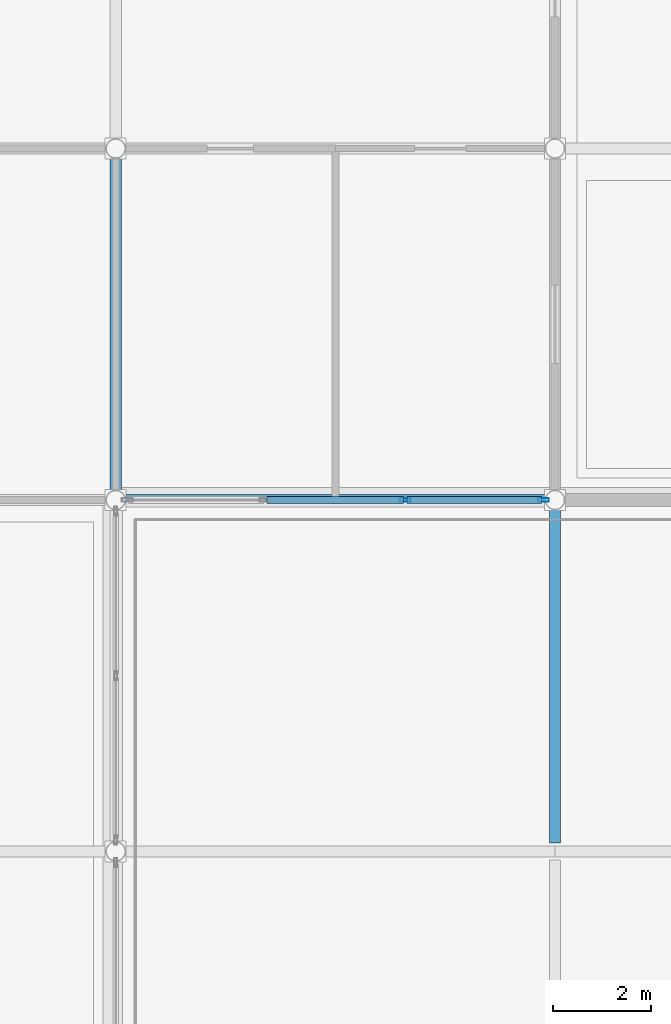
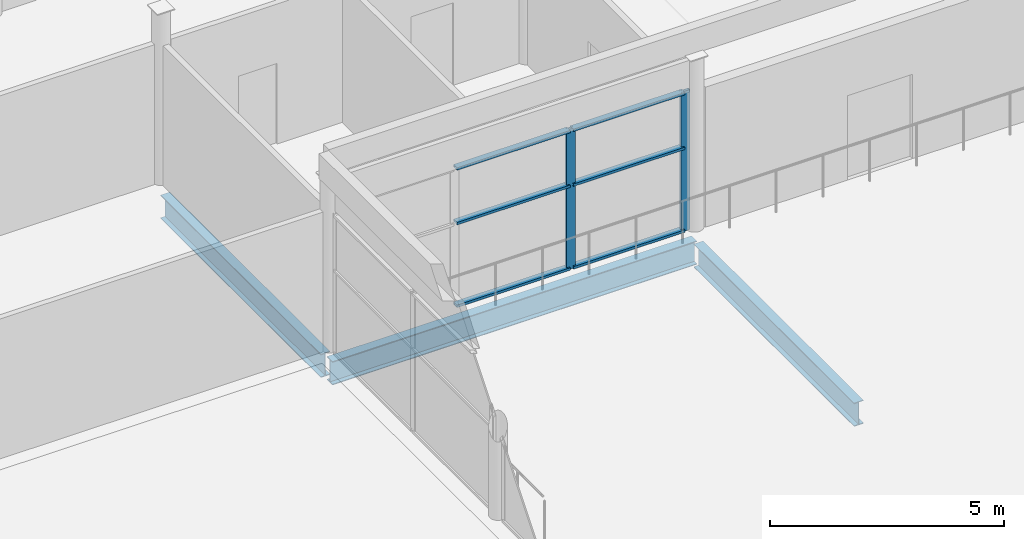
# One storey, part 17 of 52: 8 members, 3 beams, 1 element without a shape of its own.
"""IFC4 building model written with IfcOpenShell, lengths in metres."""

from ifc_helpers import new_model, si_unit, direction, frame, origin, origin_2d, place, context, subcontext, project, spatial, hollow_rectangle, i_section, extrude, material, layer, layer_set, material_profile, profile_set, type_object, element, aggregate, save


model = new_model("IFC4")

# Units and contexts
model_context = context("Model", 3, precision=1e-05, world=origin(), true_north=direction((0.0, 1.0)))
body_context = subcontext(model_context, "Body", "Model", "MODEL_VIEW")
ifc_project = project(units=[si_unit("LENGTHUNIT", "METRE"), si_unit("AREAUNIT", "SQUARE_METRE"), si_unit("VOLUMEUNIT", "CUBIC_METRE"), si_unit("PLANEANGLEUNIT", "RADIAN"), si_unit("MASSUNIT", "GRAM", prefix="KILO")], contexts=[model_context])

# Site, building, storey
site_placement = place(None, origin())
site = spatial("IfcSite", under=ifc_project, at=site_placement, CompositionType="ELEMENT")
building_placement = place(site_placement, origin())
building = spatial("IfcBuilding", under=site, at=building_placement, Name="Celestram Park Convention Centre", CompositionType="ELEMENT")
storey_placement = place(building_placement, frame((0.0, 0.0, 24.300048828125)))
storey = spatial("IfcBuildingStorey", under=building, at=storey_placement, Name="L05", CompositionType="ELEMENT", Elevation=24.300048828125)

# Curtain wall, members
ifc_material_1 = material(Name="Anodised Aluminium Alloy 6063-T6", Category="aluminium")
ifc_layer = layer(ifc_material_1, 0.179931640625)
ifc_layer_set = layer_set([ifc_layer], Name="Anodised Aluminium Alloy 6063-T6")
curtain_wall_type = type_object("IfcCurtainWallType", Name="ARC-CW-860X365", PredefinedType="NOTDEFINED", material=ifc_layer_set)
curtain_wall_placement = place(storey_placement, origin())
curtain_wall = element("IfcCurtainWall", 1, at=curtain_wall_placement, inside=storey, type_object=curtain_wall_type, Name="Unitised curtain wall CU-L05-256", PredefinedType="NOTDEFINED")
ifc_material_profile_1 = material_profile(ifc_material_1, hollow_rectangle(XDim=0.074951171875, YDim=0.219970703125, WallThickness=0.00390625, at=origin_2d()), Name="ALU75X220X4")
ifc_profile_set_1 = profile_set([ifc_material_profile_1], Name="Anodised Aluminium Alloy 6063-T6")
member_type_1 = type_object("IfcMemberType", Name="ARC-CWM-180", PredefinedType="MULLION", material=ifc_profile_set_1)
member_1_placement = place(storey_placement, frame((80.763427734375, 129.60009765625, 0.0), z_axis=(0.0, 0.0, 1.0), x_axis=(0.0, -1.0, 0.0)))
member_1 = element("IfcMember", 2, at=member_1_placement, type_object=member_type_1, Name="CW-86X36 mullion 1", PredefinedType="MULLION", context=body_context, shape_type="SweptSolid", body=[
    extrude(hollow_rectangle(XDim=0.074951171875, YDim=0.219970703125, WallThickness=0.00390625, at=origin_2d()), origin(), (0.0, 0.0, 1.0), 3.64794921875),
])
member_2_placement = place(storey_placement, frame((77.93359375, 129.60009765625, 0.0), z_axis=(0.0, 0.0, 1.0), x_axis=(0.0, -1.0, 0.0)))
member_2 = element("IfcMember", 3, at=member_2_placement, type_object=member_type_1, Name="CW-86X36 mullion 2", PredefinedType="MULLION", context=body_context, shape_type="SweptSolid", body=[
    extrude(hollow_rectangle(XDim=0.074951171875, YDim=0.219970703125, WallThickness=0.00390625, at=origin_2d()), origin(), (0.0, 0.0, 1.0), 3.64794921875),
])
ifc_material_profile_2 = material_profile(ifc_material_1, hollow_rectangle(XDim=0.14990234375, YDim=0.06494140625, WallThickness=0.0029296875, at=origin_2d()), Name="ALU150X65X3")
ifc_profile_set_2 = profile_set([ifc_material_profile_2], Name="Anodised Aluminium Alloy 6063-T6")
member_type_2 = type_object("IfcMemberType", Name="ARC-CWT-150", PredefinedType="USERDEFINED", material=ifc_profile_set_2)
member_3_placement = place(storey_placement, frame((80.72607421875, 129.60009765625, 0.032470703125), z_axis=(-1.0, 0.0, 0.0), x_axis=(0.0, -1.0, 0.0)))
member_3 = element("IfcMember", 4, at=member_3_placement, type_object=member_type_2, Name="CW-86X36 transom 1.1", ObjectType="TRANSOM", PredefinedType="USERDEFINED", context=body_context, shape_type="SweptSolid", body=[
    extrude(hollow_rectangle(XDim=0.14990234375, YDim=0.06494140625, WallThickness=0.0029296875, at=origin_2d()), origin(), (0.0, 0.0, 1.0), 2.7548828125),
])
member_4_placement = place(storey_placement, frame((80.72607421875, 129.60009765625, 2.18896484375), z_axis=(-1.0, 0.0, 0.0), x_axis=(0.0, -1.0, 0.0)))
member_4 = element("IfcMember", 5, at=member_4_placement, type_object=member_type_2, Name="CW-86X36 transom 1.2", ObjectType="TRANSOM", PredefinedType="USERDEFINED", context=body_context, shape_type="SweptSolid", body=[
    extrude(hollow_rectangle(XDim=0.14990234375, YDim=0.06494140625, WallThickness=0.0029296875, at=origin_2d()), origin(), (0.0, 0.0, 1.0), 2.7548828125),
])
member_5_placement = place(storey_placement, frame((80.72607421875, 129.60009765625, 3.615478515625), z_axis=(-1.0, 0.0, 0.0), x_axis=(0.0, -1.0, 0.0)))
member_5 = element("IfcMember", 6, at=member_5_placement, type_object=member_type_2, Name="CW-86X36 transom 1.3", ObjectType="TRANSOM", PredefinedType="USERDEFINED", context=body_context, shape_type="SweptSolid", body=[
    extrude(hollow_rectangle(XDim=0.14990234375, YDim=0.06494140625, WallThickness=0.0029296875, at=origin_2d()), origin(), (0.0, 0.0, 1.0), 2.7548828125),
])
member_6_placement = place(storey_placement, frame((77.896240234375, 129.60009765625, 0.032470703125), z_axis=(-1.0, 0.0, 0.0), x_axis=(0.0, -1.0, 0.0)))
member_6 = element("IfcMember", 7, at=member_6_placement, type_object=member_type_2, Name="CW-86X36 transom 2.1", ObjectType="TRANSOM", PredefinedType="USERDEFINED", context=body_context, shape_type="SweptSolid", body=[
    extrude(hollow_rectangle(XDim=0.14990234375, YDim=0.06494140625, WallThickness=0.0029296875, at=origin_2d()), origin(), (0.0, 0.0, 1.0), 2.79248046875),
])
member_7_placement = place(storey_placement, frame((77.896240234375, 129.60009765625, 2.18896484375), z_axis=(-1.0, 0.0, 0.0), x_axis=(0.0, -1.0, 0.0)))
member_7 = element("IfcMember", 8, at=member_7_placement, type_object=member_type_2, Name="CW-86X36 transom 2.2", ObjectType="TRANSOM", PredefinedType="USERDEFINED", context=body_context, shape_type="SweptSolid", body=[
    extrude(hollow_rectangle(XDim=0.14990234375, YDim=0.06494140625, WallThickness=0.0029296875, at=origin_2d()), origin(), (0.0, 0.0, 1.0), 2.79248046875),
])
member_8_placement = place(storey_placement, frame((77.896240234375, 129.60009765625, 3.615478515625), z_axis=(-1.0, 0.0, 0.0), x_axis=(0.0, -1.0, 0.0)))
member_8 = element("IfcMember", 9, at=member_8_placement, type_object=member_type_2, Name="CW-86X36 transom 2.3", ObjectType="TRANSOM", PredefinedType="USERDEFINED", context=body_context, shape_type="SweptSolid", body=[
    extrude(hollow_rectangle(XDim=0.14990234375, YDim=0.06494140625, WallThickness=0.0029296875, at=origin_2d()), origin(), (0.0, 0.0, 1.0), 2.79248046875),
])
aggregate(curtain_wall, [member_1, member_2, member_3, member_4, member_5, member_6, member_7, member_8])

# Beams
ifc_material_2 = material(Name="Steel ASTM A992 Grade 50", Category="steel")
ifc_material_profile_3 = material_profile(ifc_material_2, i_section(OverallWidth=0.22900390625, OverallDepth=0.612060546875, WebThickness=0.011962890625, FlangeThickness=0.01953125, at=origin_2d()), Name="W24X84")
ifc_profile_set_3 = profile_set([ifc_material_profile_3], Name="Steel ASTM A992 Grade 50")
beam_type = type_object("IfcBeamType", Name="STR-BM-W24X84", PredefinedType="BEAM", material=ifc_profile_set_3)
beam_placement = place(storey_placement, frame((72.0048828125, 129.60009765625, -0.60595703125), z_axis=(1.0, 0.0, 0.0), x_axis=(0.0, 1.0, 0.0)))
element("IfcBeam", 10, at=beam_placement, inside=storey, type_object=beam_type, Name="Primary X-girder BG-L05-0060", PredefinedType="BEAM", context=body_context, shape_type="SweptSolid", body=[
    extrude(i_section(OverallWidth=0.22900390625, OverallDepth=0.612060546875, WebThickness=0.011962890625, FlangeThickness=0.01953125, at=origin_2d()), origin(), (0.0, 0.0, 1.0), 8.990234375),
])
for number, where, z_axis, x_axis, name in (
    (11, (72.0, 129.77587890625, -0.546142578125), (0.0, 1.0, 0.0), (-1.0, 0.0, 0.0), "Primary Y-girder BG-L05-0061"),
    (12, (81.0, 122.575927734375, -0.60595703125), (0.0, 1.0, 0.0), (-1.0, 0.0, 0.0), "Primary Y-girder BG-L05-0076"),
):
    element("IfcBeam", number, at=place(storey_placement, frame(where, z_axis=z_axis, x_axis=x_axis)), inside=storey, type_object=beam_type, Name=name, PredefinedType="BEAM", context=body_context, shape_type="SweptSolid", body=[
        extrude(i_section(OverallWidth=0.22900390625, OverallDepth=0.612060546875, WebThickness=0.011962890625, FlangeThickness=0.01953125, at=origin_2d()), origin(), (0.0, 0.0, 1.0), 6.84814453125),
    ])

save(model, "model.ifc")
